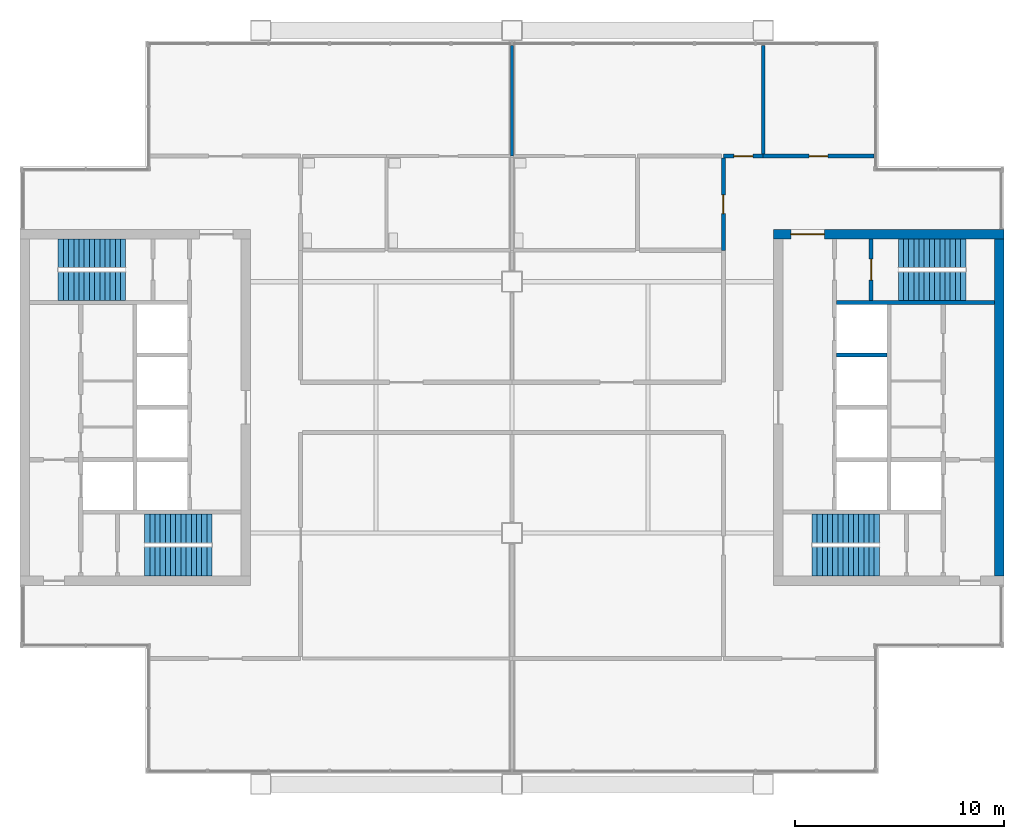
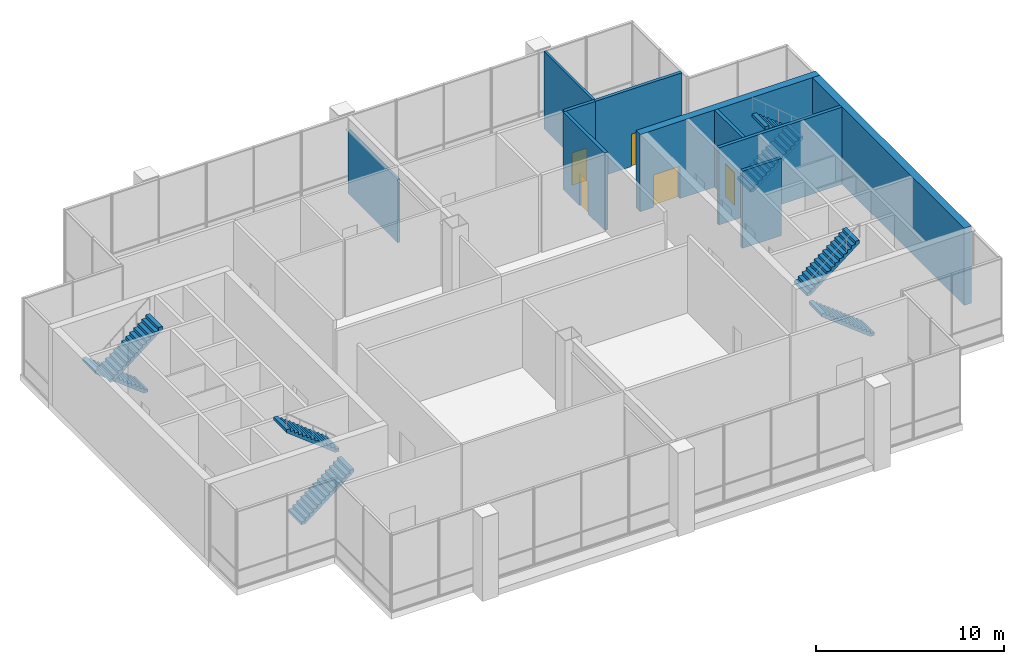
# One storey, part 13 of 15: 10 walls, 8 stair flights, 5 doors, 5 openings, 4 elements without a shape of their own.
"""IFC4 building model written with IfcOpenShell, lengths in metres."""

from ifc_helpers import new_model, si_unit, direction, frame, frame_2d, origin, place, context, subcontext, project, spatial, polyline, rectangle, outline, extrude, material, layer, layer_set, type_object, element, fill, aggregate, save


model = new_model("IFC4")

# Units and contexts
model_context = context("Model", 3, precision=1e-05, world=origin(), true_north=direction((0.0, 1.0)))
body_context = subcontext(model_context, "Body", "Model", "MODEL_VIEW")
ifc_project = project(units=[si_unit("LENGTHUNIT", "METRE"), si_unit("AREAUNIT", "SQUARE_METRE"), si_unit("VOLUMEUNIT", "CUBIC_METRE"), si_unit("PLANEANGLEUNIT", "RADIAN"), si_unit("MASSUNIT", "GRAM", prefix="KILO")], contexts=[model_context])

# Site, building, storey
site_placement = place(None, origin())
site = spatial("IfcSite", under=ifc_project, at=site_placement, CompositionType="ELEMENT")
building_placement = place(site_placement, origin())
building = spatial("IfcBuilding", under=site, at=building_placement, Name="Kitamizu Gate Tower and Museum", CompositionType="ELEMENT")
storey_placement = place(building_placement, frame((0.0, 0.0, 277.949951171875)))
storey = spatial("IfcBuildingStorey", under=building, at=storey_placement, Name="L75", CompositionType="ELEMENT", Elevation=277.949951171875)

# Wall, opening, door
ifc_material_1 = material(Name="Concrete Fc42", Category="concrete")
ifc_layer_1 = layer(ifc_material_1, 0.449951171875)
ifc_layer_set_1 = layer_set([ifc_layer_1], Name="Concrete Fc42")
wall_type_1 = type_object("IfcWallType", Name="Core wall 450 EI 60", PredefinedType="SHEAR", material=ifc_layer_set_1)
wall_1_placement = place(storey_placement, frame((59.5, 38.27490234375, 0.0), z_axis=(0.0, 0.0, 1.0), x_axis=(-1.0, 0.0, 0.0)))
wall_1 = element("IfcWall", 1, at=wall_1_placement, inside=storey, type_object=wall_type_1, Name="Core wall EN", PredefinedType="SHEAR", context=body_context, shape_type="SweptSolid", body=[
    extrude(rectangle(XDim=11.0, YDim=0.449951171875, at=frame_2d((5.5, 0.0))), origin(), (0.0, 0.0, 1.0), 5.0),
])
opening_1_placement = place(wall_1_placement, frame((8.574951171875, 0.0, 0.0)))
opening_1 = element("IfcOpeningElement", 2, at=opening_1_placement, cuts=wall_1, Name="Opening L75-031", PredefinedType="OPENING", context=body_context, shape_type="SweptSolid", body=[
    extrude(rectangle(XDim=1.60009765625, YDim=2.10009765625, at=frame_2d((0.800048828125, 1.050048828125))), frame((0.0, 0.23486328125, 0.0), z_axis=(0.0, -1.0, 0.0), x_axis=(1.0, 0.0, 0.0)), (0.0, 0.0, 1.0), 0.469970703125),
])
ifc_material_2 = material(Name="Timber door set", Category="wood")
door_type_1 = type_object("IfcDoorType", Name="Entrance door 1600", OperationType="DOUBLE_DOOR_SINGLE_SWING", PredefinedType="DOOR", material=ifc_material_2)
door_1_placement = place(opening_1_placement, origin())
door_1 = element("IfcDoor", 3, at=door_1_placement, inside=storey, type_object=door_type_1, Name="Lobby door L75-031", OperationType="DOUBLE_DOOR_SINGLE_SWING", OverallHeight=2.10009765625, OverallWidth=1.60009765625, PredefinedType="DOOR", context=body_context, shape_type="SweptSolid", body=[
    extrude(rectangle(XDim=1.60009765625, YDim=2.10009765625, at=frame_2d((0.800048828125, 1.050048828125))), frame((0.0, 0.02490234375, 0.0), z_axis=(0.0, -1.0, 0.0), x_axis=(1.0, 0.0, 0.0)), (0.0, 0.0, 1.0), 0.050048828125),
])
fill(opening_1, door_1)

# Walls
wall_2_placement = place(storey_placement, frame((59.27490234375, 21.949951171875, 0.0), z_axis=(0.0, 0.0, 1.0), x_axis=(0.0, 1.0, 0.0)))
element("IfcWall", 4, at=wall_2_placement, inside=storey, type_object=wall_type_1, Name="Core wall EOUT", PredefinedType="SHEAR", context=body_context, shape_type="SweptSolid", body=[
    extrude(rectangle(XDim=16.10009765625, YDim=0.449951171875, at=frame_2d((8.050048828125, 0.0))), origin(), (0.0, 0.0, 1.0), 5.0),
])
ifc_material_3 = material(Name="Gypsum board on galvanised stud")
ifc_layer_2 = layer(ifc_material_3, 0.14990234375)
ifc_layer_set_2 = layer_set([ifc_layer_2], Name="Gypsum board on galvanised stud")
wall_type_2 = type_object("IfcWallType", Name="Partition 150", PredefinedType="PARTITIONING", material=ifc_layer_set_2)
wall_3_placement = place(storey_placement, frame((36.0, 42.0, 0.0), z_axis=(0.0, 0.0, 1.0), x_axis=(0.0, 1.0, 0.0)))
element("IfcWall", 5, at=wall_3_placement, inside=storey, type_object=wall_type_2, Name="Partition L75-019", PredefinedType="PARTITIONING", context=body_context, shape_type="SweptSolid", body=[
    extrude(rectangle(XDim=5.280029296875, YDim=0.14990234375, at=frame_2d((2.64013671875, 0.0))), origin(), (0.0, 0.0, 1.0), 4.10009765625),
])
wall_4_placement = place(storey_placement, frame((48.0, 42.10009765625, 0.0), z_axis=(0.0, 0.0, 1.0), x_axis=(0.0, 1.0, 0.0)))
element("IfcWall", 6, at=wall_4_placement, inside=storey, type_object=wall_type_2, Name="Partition L75-022", PredefinedType="PARTITIONING", context=body_context, shape_type="SweptSolid", body=[
    extrude(rectangle(XDim=5.179931640625, YDim=0.14990234375, at=frame_2d((2.58984375, 0.0))), origin(), (0.0, 0.0, 1.0), 5.0),
])

# Wall, opening, door
ifc_material_4 = material(Name="Gypsum board on galvanised stud")
ifc_layer_3 = layer(ifc_material_4, 0.199951171875)
ifc_layer_set_3 = layer_set([ifc_layer_3], Name="Gypsum board on galvanised stud")
wall_type_3 = type_object("IfcWallType", Name="Partition 200", PredefinedType="PARTITIONING", material=ifc_layer_set_3)
wall_5_placement = place(storey_placement, frame((48.0, 42.0, 0.0), z_axis=(0.0, 0.0, 1.0), x_axis=(-1.0, 0.0, 0.0)))
wall_5 = element("IfcWall", 7, at=wall_5_placement, inside=storey, type_object=wall_type_3, Name="Partition L75-004", PredefinedType="PARTITIONING", context=body_context, shape_type="SweptSolid", body=[
    extrude(rectangle(XDim=1.89990234375, YDim=0.199951171875, at=frame_2d((0.949951171875, 0.0))), origin(), (0.0, 0.0, 1.0), 5.0),
])
opening_2_placement = place(wall_5_placement, frame((0.5, 0.0, 0.0)))
opening_2 = element("IfcOpeningElement", 8, at=opening_2_placement, cuts=wall_5, Name="Opening L75-004", PredefinedType="OPENING", context=body_context, shape_type="SweptSolid", body=[
    extrude(rectangle(XDim=0.89990234375, YDim=2.10009765625, at=frame_2d((0.449951171875, 1.050048828125))), frame((0.0, 0.10986328125, 0.0), z_axis=(0.0, -1.0, 0.0), x_axis=(1.0, 0.0, 0.0)), (0.0, 0.0, 1.0), 0.219970703125),
])
ifc_material_5 = material(Name="Timber door set", Category="wood")
door_type_2 = type_object("IfcDoorType", Name="Room door 900", OperationType="NOTDEFINED", PredefinedType="DOOR", material=ifc_material_5)
door_2_placement = place(opening_2_placement, frame((0.89990234375, 0.0, 0.0), x_axis=(-1.0, 0.0, 0.0)))
door_2 = element("IfcDoor", 9, at=door_2_placement, inside=storey, type_object=door_type_2, Name="Door L75-004", OperationType="SINGLE_SWING_LEFT", OverallHeight=2.10009765625, OverallWidth=0.89990234375, PredefinedType="DOOR", context=body_context, shape_type="SweptSolid", body=[
    extrude(rectangle(XDim=0.89990234375, YDim=2.10009765625, at=frame_2d((0.449951171875, 1.050048828125))), frame((0.0, 0.02490234375, 0.0), z_axis=(0.0, -1.0, 0.0), x_axis=(1.0, 0.0, 0.0)), (0.0, 0.0, 1.0), 0.050048828125),
])
fill(opening_2, door_2)

wall_6_placement = place(storey_placement, frame((53.280029296875, 42.0, 0.0), z_axis=(0.0, 0.0, 1.0), x_axis=(-1.0, 0.0, 0.0)))
wall_6 = element("IfcWall", 10, at=wall_6_placement, inside=storey, type_object=wall_type_3, Name="Partition L75-005", PredefinedType="PARTITIONING", context=body_context, shape_type="SweptSolid", body=[
    extrude(rectangle(XDim=5.280029296875, YDim=0.199951171875, at=frame_2d((2.64013671875, 0.0))), origin(), (0.0, 0.0, 1.0), 5.0),
])
opening_3_placement = place(wall_6_placement, frame((2.18994140625, 0.0, 0.0)))
opening_3 = element("IfcOpeningElement", 11, at=opening_3_placement, cuts=wall_6, Name="Opening L75-005", PredefinedType="OPENING", context=body_context, shape_type="SweptSolid", body=[
    extrude(rectangle(XDim=0.89990234375, YDim=2.10009765625, at=frame_2d((0.449951171875, 1.050048828125))), frame((0.0, 0.10986328125, 0.0), z_axis=(0.0, -1.0, 0.0), x_axis=(1.0, 0.0, 0.0)), (0.0, 0.0, 1.0), 0.219970703125),
])
door_3_placement = place(opening_3_placement, frame((0.89990234375, 0.0, 0.0), x_axis=(-1.0, 0.0, 0.0)))
door_3 = element("IfcDoor", 12, at=door_3_placement, inside=storey, type_object=door_type_2, Name="Door L75-005", OperationType="SINGLE_SWING_LEFT", OverallHeight=2.10009765625, OverallWidth=0.89990234375, PredefinedType="DOOR", context=body_context, shape_type="SweptSolid", body=[
    extrude(rectangle(XDim=0.89990234375, YDim=2.10009765625, at=frame_2d((0.449951171875, 1.050048828125))), frame((0.0, 0.02490234375, 0.0), z_axis=(0.0, -1.0, 0.0), x_axis=(1.0, 0.0, 0.0)), (0.0, 0.0, 1.0), 0.050048828125),
])
fill(opening_3, door_3)

wall_7_placement = place(storey_placement, frame((46.10009765625, 41.89990234375, 0.0), z_axis=(0.0, 0.0, 1.0), x_axis=(0.0, -1.0, 0.0)))
wall_7 = element("IfcWall", 13, at=wall_7_placement, inside=storey, type_object=wall_type_3, Name="Partition L75-011", PredefinedType="PARTITIONING", context=body_context, shape_type="SweptSolid", body=[
    extrude(rectangle(XDim=4.39990234375, YDim=0.199951171875, at=frame_2d((2.199951171875, 0.0))), origin(), (0.0, 0.0, 1.0), 5.0),
])
opening_4_placement = place(wall_7_placement, frame((1.75, 0.0, 0.0)))
opening_4 = element("IfcOpeningElement", 14, at=opening_4_placement, cuts=wall_7, Name="Opening L75-011", PredefinedType="OPENING", context=body_context, shape_type="SweptSolid", body=[
    extrude(rectangle(XDim=0.89990234375, YDim=2.10009765625, at=frame_2d((0.449951171875, 1.050048828125))), frame((0.0, 0.10986328125, 0.0), z_axis=(0.0, -1.0, 0.0), x_axis=(1.0, 0.0, 0.0)), (0.0, 0.0, 1.0), 0.219970703125),
])
ifc_material_6 = material(Name="Timber door set", Category="wood")
door_type_3 = type_object("IfcDoorType", Name="Store door 900", OperationType="NOTDEFINED", PredefinedType="DOOR", material=ifc_material_6)
door_4_placement = place(opening_4_placement, frame((0.89990234375, 0.0, 0.0), x_axis=(-1.0, 0.0, 0.0)))
door_4 = element("IfcDoor", 15, at=door_4_placement, inside=storey, type_object=door_type_3, Name="Store door L75-011", OperationType="SINGLE_SWING_RIGHT", OverallHeight=2.10009765625, OverallWidth=0.89990234375, PredefinedType="DOOR", context=body_context, shape_type="SweptSolid", body=[
    extrude(rectangle(XDim=0.89990234375, YDim=2.10009765625, at=frame_2d((0.449951171875, 1.050048828125))), frame((0.0, 0.02490234375, 0.0), z_axis=(0.0, -1.0, 0.0), x_axis=(1.0, 0.0, 0.0)), (0.0, 0.0, 1.0), 0.050048828125),
])
fill(opening_4, door_4)

# Wall
ifc_material_7 = material(Name="Concrete Fc42", Category="concrete")
ifc_layer_4 = layer(ifc_material_7, 0.199951171875)
ifc_layer_set_4 = layer_set([ifc_layer_4], Name="Concrete Fc42")
wall_type_4 = type_object("IfcWallType", Name="Shaft wall 200", PredefinedType="SOLIDWALL", material=ifc_layer_set_4)
wall_8_placement = place(storey_placement, frame((59.050048828125, 35.0, 0.0), z_axis=(0.0, 0.0, 1.0), x_axis=(-1.0, 0.0, 0.0)))
element("IfcWall", 16, at=wall_8_placement, inside=storey, type_object=wall_type_4, Name="Shaft wall ENB", PredefinedType="SOLIDWALL", context=body_context, shape_type="SweptSolid", body=[
    extrude(rectangle(XDim=7.550048828125, YDim=0.199951171875, at=frame_2d((3.77490234375, 0.0))), origin(), (0.0, 0.0, 1.0), 5.0),
])

# Wall, opening, door
wall_9_placement = place(storey_placement, frame((53.14990234375, 35.10009765625, 0.0), z_axis=(0.0, 0.0, 1.0), x_axis=(0.0, 1.0, 0.0)))
wall_9 = element("IfcWall", 17, at=wall_9_placement, inside=storey, type_object=wall_type_4, Name="Shaft wall ENZ", PredefinedType="SOLIDWALL", context=body_context, shape_type="SweptSolid", body=[
    extrude(rectangle(XDim=2.949951171875, YDim=0.199951171875, at=frame_2d((1.47509765625, 0.0))), origin(), (0.0, 0.0, 1.0), 5.0),
])
opening_5_placement = place(wall_9_placement, frame((0.97509765625, 0.0, 0.0)))
opening_5 = element("IfcOpeningElement", 18, at=opening_5_placement, cuts=wall_9, Name="Opening L75-028", PredefinedType="OPENING", context=body_context, shape_type="SweptSolid", body=[
    extrude(rectangle(XDim=1.0, YDim=2.10009765625, at=frame_2d((0.5, 1.050048828125))), frame((0.0, 0.10986328125, 0.0), z_axis=(0.0, -1.0, 0.0), x_axis=(1.0, 0.0, 0.0)), (0.0, 0.0, 1.0), 0.219970703125),
])
ifc_material_8 = material(Name="Hollow metal door set")
door_type_4 = type_object("IfcDoorType", Name="Fire door 1000", OperationType="NOTDEFINED", PredefinedType="DOOR", material=ifc_material_8)
door_5_placement = place(opening_5_placement, frame((1.0, 0.0, 0.0), x_axis=(-1.0, 0.0, 0.0)))
door_5 = element("IfcDoor", 19, at=door_5_placement, inside=storey, type_object=door_type_4, Name="Stair door L75-028", OperationType="SINGLE_SWING_LEFT", OverallHeight=2.10009765625, OverallWidth=1.0, PredefinedType="DOOR", context=body_context, shape_type="SweptSolid", body=[
    extrude(rectangle(XDim=1.0, YDim=2.10009765625, at=frame_2d((0.5, 1.050048828125))), frame((0.0, 0.02490234375, 0.0), z_axis=(0.0, -1.0, 0.0), x_axis=(1.0, 0.0, 0.0)), (0.0, 0.0, 1.0), 0.050048828125),
])
fill(opening_5, door_5)

# Wall
wall_10_placement = place(storey_placement, frame((53.89990234375, 32.5, 0.0), z_axis=(0.0, 0.0, 1.0), x_axis=(-1.0, 0.0, 0.0)))
element("IfcWall", 20, at=wall_10_placement, inside=storey, type_object=wall_type_4, Name="Shaft wall EDVE2", PredefinedType="SOLIDWALL", context=body_context, shape_type="SweptSolid", body=[
    extrude(rectangle(XDim=2.39990234375, YDim=0.199951171875, at=frame_2d((1.199951171875, 0.0))), origin(), (0.0, 0.0, 1.0), 5.0),
])

# Stair, stair flights
ifc_material_9 = material(Name="Concrete Fc42", Category="concrete")
stair_type = type_object("IfcStairType", Name="Exit stair 1375 wide 193 rise 248 going", PredefinedType="HALF_TURN_STAIR", material=ifc_material_9)
stair_1_placement = place(storey_placement, origin())
stair_1 = element("IfcStair", 21, at=stair_1_placement, inside=storey, type_object=stair_type, Name="Exit stair ST1", PredefinedType="HALF_TURN_STAIR")
ifc_material_10 = material(Name="Concrete Fc42", Category="concrete")
stair_flight_type = type_object("IfcStairFlightType", Name="Stair flight 1375 wide 193 rise 248 going", PredefinedType="STRAIGHT", material=ifc_material_10)
stair_flight_1_placement = place(storey_placement, frame((18.449951171875, 22.637451171875, 0.0), z_axis=(0.0, 0.0, 1.0), x_axis=(1.0, 0.0, 0.0)))
stair_flight_1 = element("IfcStairFlight", 22, at=stair_flight_1_placement, type_object=stair_flight_type, Name="ST1 flight 1", NumberOfRisers=14, NumberOfTreads=13, PredefinedType="STRAIGHT", RiserHeight=0.192857143, TreadLength=0.248076923, context=body_context, shape_type="SweptSolid", body=[
    extrude(outline(polyline([(0.0, 0.0), (0.0, 0.19287109375), (0.248046875, 0.19287109375), (0.248046875, 0.3857421875), (0.49609375, 0.3857421875), (0.49609375, 0.57861328125), (0.744140625, 0.57861328125), (0.744140625, 0.771484375), (0.9921875, 0.771484375), (0.9921875, 0.96435546875), (1.240478515625, 0.96435546875), (1.240478515625, 1.1572265625), (1.488525390625, 1.1572265625), (1.488525390625, 1.35009765625), (1.736572265625, 1.35009765625), (1.736572265625, 1.54296875), (1.984619140625, 1.54296875), (1.984619140625, 1.735595703125), (2.232666015625, 1.735595703125), (2.232666015625, 1.928466796875), (2.480712890625, 1.928466796875), (2.480712890625, 2.121337890625), (2.728759765625, 2.121337890625), (2.728759765625, 2.314208984375), (2.976806640625, 2.314208984375), (2.976806640625, 2.507080078125), (3.22509765625, 2.507080078125), (3.22509765625, 2.699951171875), (3.22509765625, 2.3173828125), (0.244140625, 0.0), (0.0, 0.0)])), frame((0.0, 0.6875, 0.0), z_axis=(0.0, -1.0, 0.0), x_axis=(1.0, 0.0, 0.0)), (0.0, 0.0, 1.0), 1.375),
])
stair_flight_2_placement = place(storey_placement, frame((21.675048828125, 24.21240234375, 2.699951171875), z_axis=(0.0, 0.0, 1.0), x_axis=(-1.0, 0.0, 0.0)))
stair_flight_2 = element("IfcStairFlight", 23, at=stair_flight_2_placement, type_object=stair_flight_type, Name="ST1 flight 2", NumberOfRisers=14, NumberOfTreads=13, PredefinedType="STRAIGHT", RiserHeight=0.192857143, TreadLength=0.248076923, context=body_context, shape_type="SweptSolid", body=[
    extrude(outline(polyline([(0.0, 0.0), (0.0, 0.19287109375), (0.248046875, 0.19287109375), (0.248046875, 0.3857421875), (0.49609375, 0.3857421875), (0.49609375, 0.57861328125), (0.744140625, 0.57861328125), (0.744140625, 0.771484375), (0.9921875, 0.771484375), (0.9921875, 0.96435546875), (1.240478515625, 0.96435546875), (1.240478515625, 1.1572265625), (1.488525390625, 1.1572265625), (1.488525390625, 1.35009765625), (1.736572265625, 1.35009765625), (1.736572265625, 1.54296875), (1.984619140625, 1.54296875), (1.984619140625, 1.735595703125), (2.232666015625, 1.735595703125), (2.232666015625, 1.928466796875), (2.480712890625, 1.928466796875), (2.480712890625, 2.121337890625), (2.728759765625, 2.121337890625), (2.728759765625, 2.314208984375), (2.976806640625, 2.314208984375), (2.976806640625, 2.507080078125), (3.22509765625, 2.507080078125), (3.22509765625, 2.699951171875), (3.22509765625, 2.3173828125), (0.244140625, 0.0), (0.0, 0.0)])), frame((0.0, 0.6875, 0.0), z_axis=(0.0, -1.0, 0.0), x_axis=(1.0, 0.0, 0.0)), (0.0, 0.0, 1.0), 1.375),
])
aggregate(stair_1, [stair_flight_1, stair_flight_2])

stair_2_placement = place(storey_placement, origin())
stair_2 = element("IfcStair", 24, at=stair_2_placement, inside=storey, type_object=stair_type, Name="Exit stair ST2", PredefinedType="HALF_TURN_STAIR")
stair_flight_3_placement = place(storey_placement, frame((17.550048828125, 37.362548828125, 0.0), z_axis=(0.0, 0.0, 1.0), x_axis=(-1.0, 0.0, 0.0)))
stair_flight_3 = element("IfcStairFlight", 25, at=stair_flight_3_placement, type_object=stair_flight_type, Name="ST2 flight 1", NumberOfRisers=14, NumberOfTreads=13, PredefinedType="STRAIGHT", RiserHeight=0.192857143, TreadLength=0.248076923, context=body_context, shape_type="SweptSolid", body=[
    extrude(outline(polyline([(0.0, 0.0), (0.0, 0.19287109375), (0.248046875, 0.19287109375), (0.248046875, 0.3857421875), (0.49609375, 0.3857421875), (0.49609375, 0.57861328125), (0.744140625, 0.57861328125), (0.744140625, 0.771484375), (0.9921875, 0.771484375), (0.9921875, 0.96435546875), (1.240478515625, 0.96435546875), (1.240478515625, 1.1572265625), (1.488525390625, 1.1572265625), (1.488525390625, 1.35009765625), (1.736572265625, 1.35009765625), (1.736572265625, 1.54296875), (1.984619140625, 1.54296875), (1.984619140625, 1.735595703125), (2.232666015625, 1.735595703125), (2.232666015625, 1.928466796875), (2.480712890625, 1.928466796875), (2.480712890625, 2.121337890625), (2.728759765625, 2.121337890625), (2.728759765625, 2.314208984375), (2.976806640625, 2.314208984375), (2.976806640625, 2.507080078125), (3.22509765625, 2.507080078125), (3.22509765625, 2.699951171875), (3.22509765625, 2.3173828125), (0.244140625, 0.0), (0.0, 0.0)])), frame((0.0, 0.6875, 0.0), z_axis=(0.0, -1.0, 0.0), x_axis=(1.0, 0.0, 0.0)), (0.0, 0.0, 1.0), 1.375),
])
stair_flight_4_placement = place(storey_placement, frame((14.324951171875, 35.78759765625, 2.699951171875), z_axis=(0.0, 0.0, 1.0), x_axis=(1.0, 0.0, 0.0)))
stair_flight_4 = element("IfcStairFlight", 26, at=stair_flight_4_placement, type_object=stair_flight_type, Name="ST2 flight 2", NumberOfRisers=14, NumberOfTreads=13, PredefinedType="STRAIGHT", RiserHeight=0.192857143, TreadLength=0.248076923, context=body_context, shape_type="SweptSolid", body=[
    extrude(outline(polyline([(0.0, 0.0), (0.0, 0.19287109375), (0.248046875, 0.19287109375), (0.248046875, 0.3857421875), (0.49609375, 0.3857421875), (0.49609375, 0.57861328125), (0.744140625, 0.57861328125), (0.744140625, 0.771484375), (0.9921875, 0.771484375), (0.9921875, 0.96435546875), (1.240478515625, 0.96435546875), (1.240478515625, 1.1572265625), (1.488525390625, 1.1572265625), (1.488525390625, 1.35009765625), (1.736572265625, 1.35009765625), (1.736572265625, 1.54296875), (1.984619140625, 1.54296875), (1.984619140625, 1.735595703125), (2.232666015625, 1.735595703125), (2.232666015625, 1.928466796875), (2.480712890625, 1.928466796875), (2.480712890625, 2.121337890625), (2.728759765625, 2.121337890625), (2.728759765625, 2.314208984375), (2.976806640625, 2.314208984375), (2.976806640625, 2.507080078125), (3.22509765625, 2.507080078125), (3.22509765625, 2.699951171875), (3.22509765625, 2.3173828125), (0.244140625, 0.0), (0.0, 0.0)])), frame((0.0, 0.6875, 0.0), z_axis=(0.0, -1.0, 0.0), x_axis=(1.0, 0.0, 0.0)), (0.0, 0.0, 1.0), 1.375),
])
aggregate(stair_2, [stair_flight_3, stair_flight_4])

stair_3_placement = place(storey_placement, origin())
stair_3 = element("IfcStair", 27, at=stair_3_placement, inside=storey, type_object=stair_type, Name="Exit stair ST3", PredefinedType="HALF_TURN_STAIR")
stair_flight_5_placement = place(storey_placement, frame((53.550048828125, 22.637451171875, 0.0), z_axis=(0.0, 0.0, 1.0), x_axis=(-1.0, 0.0, 0.0)))
stair_flight_5 = element("IfcStairFlight", 28, at=stair_flight_5_placement, type_object=stair_flight_type, Name="ST3 flight 1", NumberOfRisers=14, NumberOfTreads=13, PredefinedType="STRAIGHT", RiserHeight=0.192857143, TreadLength=0.248076923, context=body_context, shape_type="SweptSolid", body=[
    extrude(outline(polyline([(0.0, 0.0), (0.0, 0.19287109375), (0.248046875, 0.19287109375), (0.248046875, 0.3857421875), (0.49609375, 0.3857421875), (0.49609375, 0.57861328125), (0.744140625, 0.57861328125), (0.744140625, 0.771484375), (0.9921875, 0.771484375), (0.9921875, 0.96435546875), (1.240478515625, 0.96435546875), (1.240478515625, 1.1572265625), (1.488525390625, 1.1572265625), (1.488525390625, 1.35009765625), (1.736572265625, 1.35009765625), (1.736572265625, 1.54296875), (1.984619140625, 1.54296875), (1.984619140625, 1.735595703125), (2.232666015625, 1.735595703125), (2.232666015625, 1.928466796875), (2.480712890625, 1.928466796875), (2.480712890625, 2.121337890625), (2.728759765625, 2.121337890625), (2.728759765625, 2.314208984375), (2.976806640625, 2.314208984375), (2.976806640625, 2.507080078125), (3.22509765625, 2.507080078125), (3.22509765625, 2.699951171875), (3.22509765625, 2.3173828125), (0.244140625, 0.0), (0.0, 0.0)])), frame((0.0, 0.6875, 0.0), z_axis=(0.0, -1.0, 0.0), x_axis=(1.0, 0.0, 0.0)), (0.0, 0.0, 1.0), 1.375),
])
stair_flight_6_placement = place(storey_placement, frame((50.324951171875, 24.21240234375, 2.699951171875), z_axis=(0.0, 0.0, 1.0), x_axis=(1.0, 0.0, 0.0)))
stair_flight_6 = element("IfcStairFlight", 29, at=stair_flight_6_placement, type_object=stair_flight_type, Name="ST3 flight 2", NumberOfRisers=14, NumberOfTreads=13, PredefinedType="STRAIGHT", RiserHeight=0.192857143, TreadLength=0.248076923, context=body_context, shape_type="SweptSolid", body=[
    extrude(outline(polyline([(0.0, 0.0), (0.0, 0.19287109375), (0.248046875, 0.19287109375), (0.248046875, 0.3857421875), (0.49609375, 0.3857421875), (0.49609375, 0.57861328125), (0.744140625, 0.57861328125), (0.744140625, 0.771484375), (0.9921875, 0.771484375), (0.9921875, 0.96435546875), (1.240478515625, 0.96435546875), (1.240478515625, 1.1572265625), (1.488525390625, 1.1572265625), (1.488525390625, 1.35009765625), (1.736572265625, 1.35009765625), (1.736572265625, 1.54296875), (1.984619140625, 1.54296875), (1.984619140625, 1.735595703125), (2.232666015625, 1.735595703125), (2.232666015625, 1.928466796875), (2.480712890625, 1.928466796875), (2.480712890625, 2.121337890625), (2.728759765625, 2.121337890625), (2.728759765625, 2.314208984375), (2.976806640625, 2.314208984375), (2.976806640625, 2.507080078125), (3.22509765625, 2.507080078125), (3.22509765625, 2.699951171875), (3.22509765625, 2.3173828125), (0.244140625, 0.0), (0.0, 0.0)])), frame((0.0, 0.6875, 0.0), z_axis=(0.0, -1.0, 0.0), x_axis=(1.0, 0.0, 0.0)), (0.0, 0.0, 1.0), 1.375),
])
aggregate(stair_3, [stair_flight_5, stair_flight_6])

stair_4_placement = place(storey_placement, origin())
stair_4 = element("IfcStair", 30, at=stair_4_placement, inside=storey, type_object=stair_type, Name="Exit stair ST4", PredefinedType="HALF_TURN_STAIR")
stair_flight_7_placement = place(storey_placement, frame((54.449951171875, 37.362548828125, 0.0), z_axis=(0.0, 0.0, 1.0), x_axis=(1.0, 0.0, 0.0)))
stair_flight_7 = element("IfcStairFlight", 31, at=stair_flight_7_placement, type_object=stair_flight_type, Name="ST4 flight 1", NumberOfRisers=14, NumberOfTreads=13, PredefinedType="STRAIGHT", RiserHeight=0.192857143, TreadLength=0.248076923, context=body_context, shape_type="SweptSolid", body=[
    extrude(outline(polyline([(0.0, 0.0), (0.0, 0.19287109375), (0.248046875, 0.19287109375), (0.248046875, 0.3857421875), (0.49609375, 0.3857421875), (0.49609375, 0.57861328125), (0.744140625, 0.57861328125), (0.744140625, 0.771484375), (0.9921875, 0.771484375), (0.9921875, 0.96435546875), (1.240478515625, 0.96435546875), (1.240478515625, 1.1572265625), (1.488525390625, 1.1572265625), (1.488525390625, 1.35009765625), (1.736572265625, 1.35009765625), (1.736572265625, 1.54296875), (1.984619140625, 1.54296875), (1.984619140625, 1.735595703125), (2.232666015625, 1.735595703125), (2.232666015625, 1.928466796875), (2.480712890625, 1.928466796875), (2.480712890625, 2.121337890625), (2.728759765625, 2.121337890625), (2.728759765625, 2.314208984375), (2.976806640625, 2.314208984375), (2.976806640625, 2.507080078125), (3.22509765625, 2.507080078125), (3.22509765625, 2.699951171875), (3.22509765625, 2.3173828125), (0.244140625, 0.0), (0.0, 0.0)])), frame((0.0, 0.6875, 0.0), z_axis=(0.0, -1.0, 0.0), x_axis=(1.0, 0.0, 0.0)), (0.0, 0.0, 1.0), 1.375),
])
stair_flight_8_placement = place(storey_placement, frame((57.675048828125, 35.78759765625, 2.699951171875), z_axis=(0.0, 0.0, 1.0), x_axis=(-1.0, 0.0, 0.0)))
stair_flight_8 = element("IfcStairFlight", 32, at=stair_flight_8_placement, type_object=stair_flight_type, Name="ST4 flight 2", NumberOfRisers=14, NumberOfTreads=13, PredefinedType="STRAIGHT", RiserHeight=0.192857143, TreadLength=0.248076923, context=body_context, shape_type="SweptSolid", body=[
    extrude(outline(polyline([(0.0, 0.0), (0.0, 0.19287109375), (0.248046875, 0.19287109375), (0.248046875, 0.3857421875), (0.49609375, 0.3857421875), (0.49609375, 0.57861328125), (0.744140625, 0.57861328125), (0.744140625, 0.771484375), (0.9921875, 0.771484375), (0.9921875, 0.96435546875), (1.240478515625, 0.96435546875), (1.240478515625, 1.1572265625), (1.488525390625, 1.1572265625), (1.488525390625, 1.35009765625), (1.736572265625, 1.35009765625), (1.736572265625, 1.54296875), (1.984619140625, 1.54296875), (1.984619140625, 1.735595703125), (2.232666015625, 1.735595703125), (2.232666015625, 1.928466796875), (2.480712890625, 1.928466796875), (2.480712890625, 2.121337890625), (2.728759765625, 2.121337890625), (2.728759765625, 2.314208984375), (2.976806640625, 2.314208984375), (2.976806640625, 2.507080078125), (3.22509765625, 2.507080078125), (3.22509765625, 2.699951171875), (3.22509765625, 2.3173828125), (0.244140625, 0.0), (0.0, 0.0)])), frame((0.0, 0.6875, 0.0), z_axis=(0.0, -1.0, 0.0), x_axis=(1.0, 0.0, 0.0)), (0.0, 0.0, 1.0), 1.375),
])
aggregate(stair_4, [stair_flight_7, stair_flight_8])

save(model, "model.ifc")
